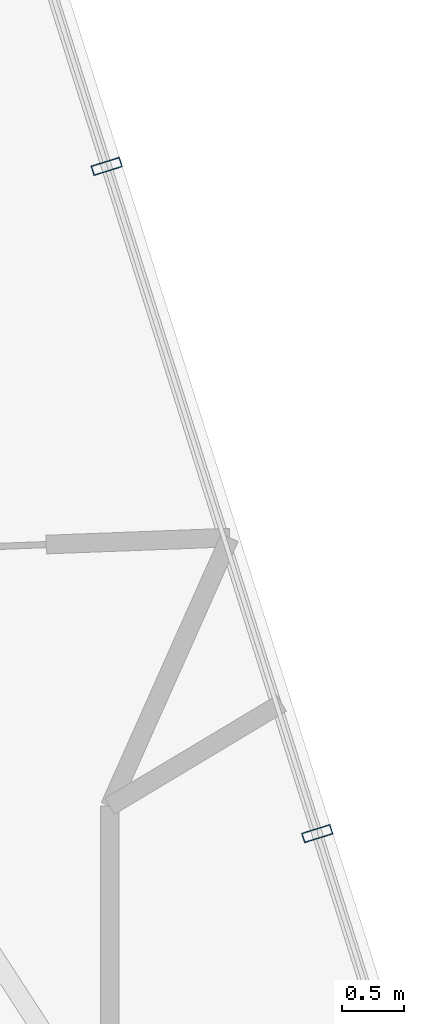
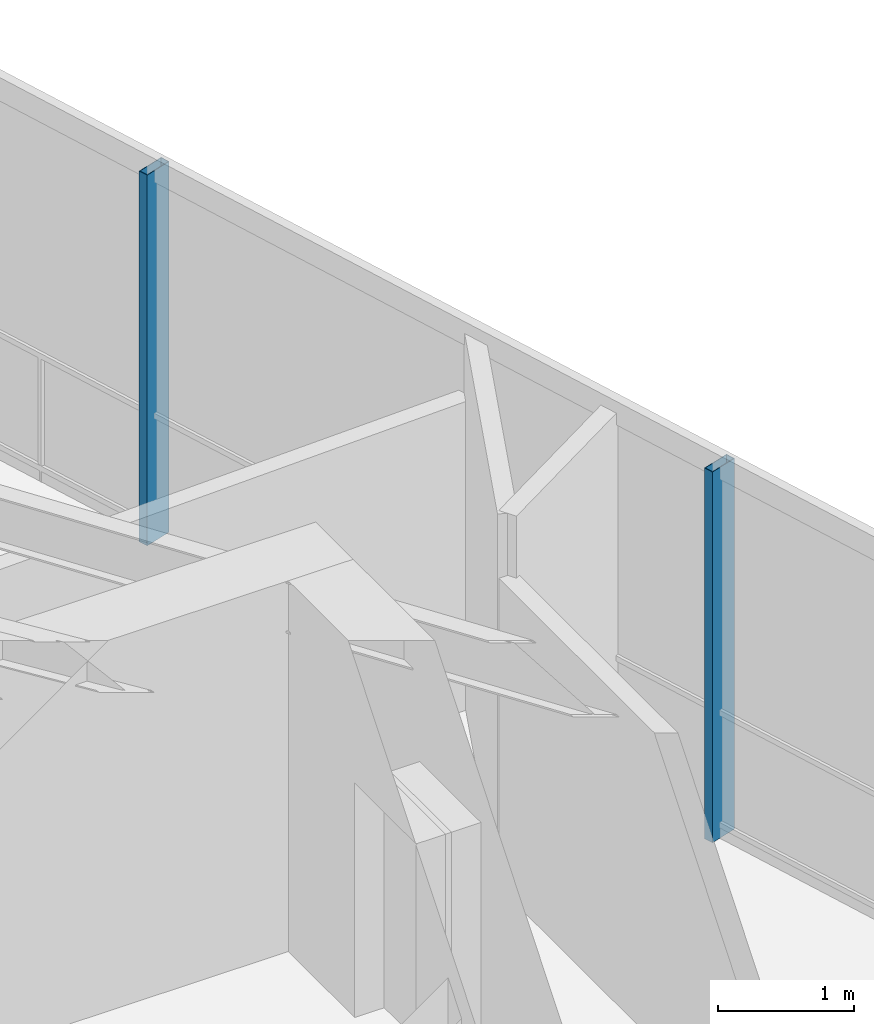
# One storey, part 12 of 18: 2 members, 1 element without a shape of its own.
"""IFC4 building model written with IfcOpenShell, lengths in metres."""

from ifc_helpers import new_model, si_unit, direction, frame, origin, origin_2d, place, context, subcontext, project, spatial, hollow_rectangle, extrude, material, layer, layer_set, material_profile, profile_set, type_object, element, aggregate, save


model = new_model("IFC4")

# Units and contexts
model_context = context("Model", 3, precision=1e-05, world=origin(), true_north=direction((0.0, 1.0)))
body_context = subcontext(model_context, "Body", "Model", "MODEL_VIEW")
ifc_project = project(units=[si_unit("LENGTHUNIT", "METRE"), si_unit("AREAUNIT", "SQUARE_METRE"), si_unit("VOLUMEUNIT", "CUBIC_METRE"), si_unit("PLANEANGLEUNIT", "RADIAN"), si_unit("MASSUNIT", "GRAM", prefix="KILO")], contexts=[model_context])

# Site, building, storey
site_placement = place(None, origin())
site = spatial("IfcSite", under=ifc_project, at=site_placement, CompositionType="ELEMENT")
building_placement = place(site_placement, origin())
building = spatial("IfcBuilding", under=site, at=building_placement, Name="Qarnah Convention Tower", CompositionType="ELEMENT")
storey_placement = place(building_placement, frame((0.0, 0.0, 246.300048828125)))
storey = spatial("IfcBuildingStorey", under=building, at=storey_placement, Name="L66", CompositionType="ELEMENT", Elevation=246.300048828125)

# Curtain wall, members
ifc_material_1 = material(Name="Tempered Low-E dark glass", Category="glass")
ifc_layer = layer(ifc_material_1, 0.176025390625)
ifc_layer_set = layer_set([ifc_layer], Name="Tempered Low-E dark glass")
curtain_wall_type = type_object("IfcCurtainWallType", Name="CWS-05", PredefinedType="NOTDEFINED", material=ifc_layer_set)
curtain_wall_placement = place(storey_placement, origin())
curtain_wall = element("IfcCurtainWall", 1, at=curtain_wall_placement, inside=storey, type_object=curtain_wall_type, Name="L66 unitised curtain wall CW-L66-F2", PredefinedType="NOTDEFINED")
ifc_material_2 = material(Name="Black anodised aluminium", Category="aluminium")
ifc_material_profile = material_profile(ifc_material_2, hollow_rectangle(XDim=0.080078125, YDim=0.239990234375, WallThickness=0.0048828125, at=origin_2d()), Name="MUL-80X240")
ifc_profile_set = profile_set([ifc_material_profile], Name="Black anodised aluminium")
member_type = type_object("IfcMemberType", Name="MUL-T5", PredefinedType="MULLION", material=ifc_profile_set)
member_1_placement = place(storey_placement, frame((49.12451171875, 39.009033203125, 0.0), z_axis=(0.0, 0.0, 1.0), x_axis=(0.301024127951, -0.953616523762, 0.0)))
member_1 = element("IfcMember", 2, at=member_1_placement, type_object=member_type, Name="CW-L66-F2 mullion 2", PredefinedType="MULLION", context=body_context, shape_type="SweptSolid", body=[
    extrude(hollow_rectangle(XDim=0.080078125, YDim=0.239990234375, WallThickness=0.0048828125, at=origin_2d()), origin(), (0.0, 0.0, 1.0), 3.320068359375),
])
member_2_placement = place(storey_placement, frame((50.817138671875, 33.64697265625, 0.0), z_axis=(0.0, 0.0, 1.0), x_axis=(0.301024127951, -0.953616523762, 0.0)))
member_2 = element("IfcMember", 3, at=member_2_placement, type_object=member_type, Name="CW-L66-F2 mullion 3", PredefinedType="MULLION", context=body_context, shape_type="SweptSolid", body=[
    extrude(hollow_rectangle(XDim=0.080078125, YDim=0.239990234375, WallThickness=0.0048828125, at=origin_2d()), origin(), (0.0, 0.0, 1.0), 3.320068359375),
])
aggregate(curtain_wall, [member_1, member_2])

save(model, "model.ifc")
